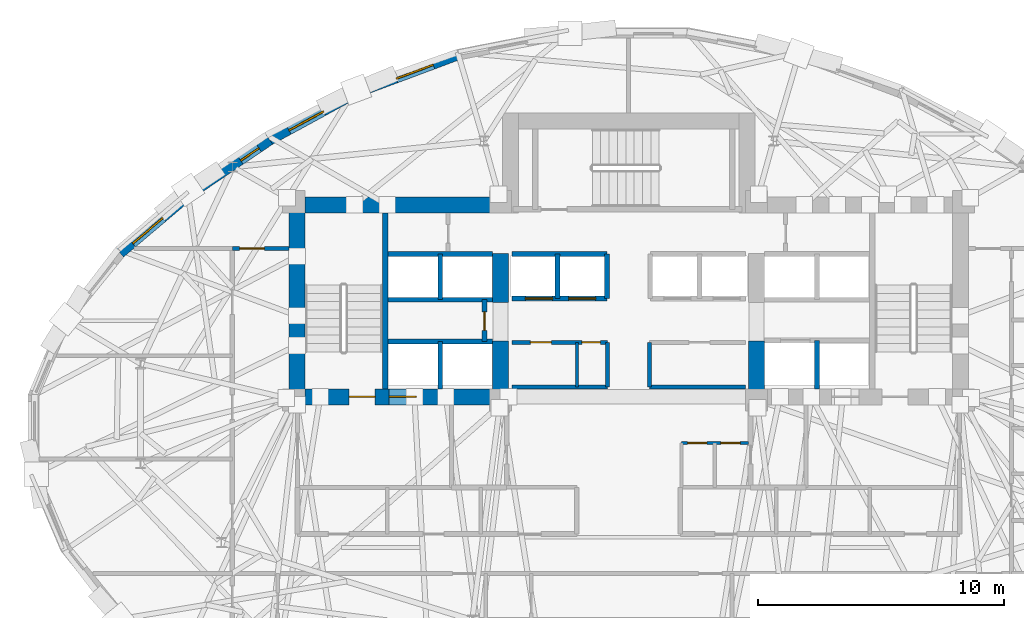
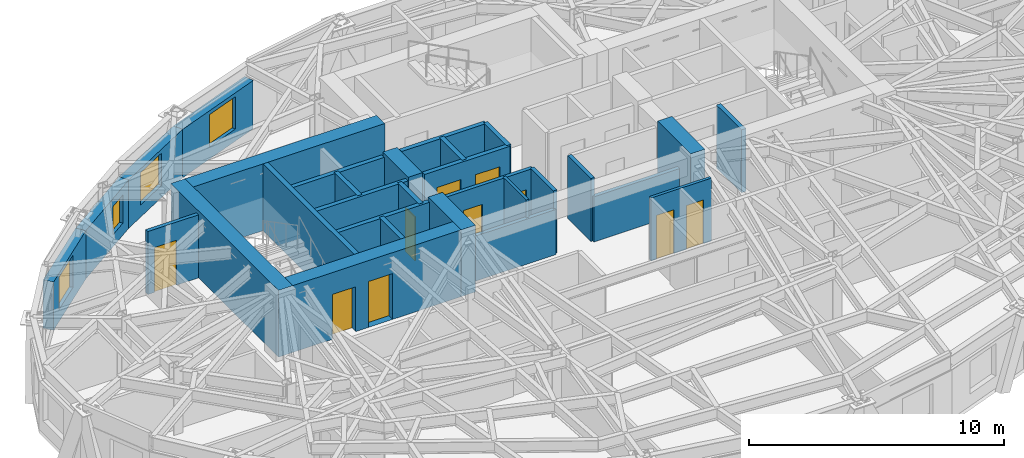
# One storey, part 7 of 14: 30 walls, 10 doors, 4 windows, 14 openings.
"""IFC4 building model written with IfcOpenShell, lengths in metres."""

from ifc_helpers import new_model, si_unit, direction, frame, frame_2d, origin, place, context, subcontext, project, spatial, rectangle, extrude, material, layer, layer_set, type_object, element, fill, save


model = new_model("IFC4")

# Units and contexts
model_context = context("Model", 3, precision=1e-05, world=origin(), true_north=direction((0.0, 1.0)))
body_context = subcontext(model_context, "Body", "Model", "MODEL_VIEW")
ifc_project = project(units=[si_unit("LENGTHUNIT", "METRE"), si_unit("AREAUNIT", "SQUARE_METRE"), si_unit("VOLUMEUNIT", "CUBIC_METRE"), si_unit("PLANEANGLEUNIT", "RADIAN"), si_unit("MASSUNIT", "GRAM", prefix="KILO")], contexts=[model_context])

# Site, building, storey
site_placement = place(None, origin())
site = spatial("IfcSite", under=ifc_project, at=site_placement, CompositionType="ELEMENT")
building_placement = place(site_placement, origin())
building = spatial("IfcBuilding", under=site, at=building_placement, Name="Keldmark Tower", CompositionType="ELEMENT")
storey_placement = place(building_placement, frame((0.0, 0.0, 191.800048828125)))
storey = spatial("IfcBuildingStorey", under=building, at=storey_placement, Name="L53", CompositionType="ELEMENT", Elevation=191.800048828125)

# Wall, openings, doors
ifc_material_1 = material(Name="Acoustic Gypsum Board Interior Partition", Category="gypsum")
ifc_layer_1 = layer(ifc_material_1, 0.1298828125)
ifc_layer_set_1 = layer_set([ifc_layer_1], Name="Acoustic Gypsum Board Interior Partition")
wall_type_1 = type_object("IfcWallType", Name="Interior Partition 130 mm", PredefinedType="PARTITIONING", material=ifc_layer_set_1)
wall_1_placement = place(storey_placement, frame((2.14990234375, -0.35009765625, 0.0), z_axis=(0.0, 0.0, 1.0), x_axis=(1.0, 0.0, 0.0)))
wall_1 = element("IfcWall", 1, at=wall_1_placement, inside=storey, type_object=wall_type_1, Name="L53 Interior Partition 130 mm CSC-E-N", PredefinedType="PARTITIONING", context=body_context, shape_type="SweptSolid", body=[
    extrude(rectangle(XDim=2.72998046875, YDim=0.1298828125, at=frame_2d((1.364990234375, 0.0))), origin(), (0.0, 0.0, 1.0), 3.02001953125),
])
opening_1_placement = place(wall_1_placement, frame((0.25, 0.0, 0.0)))
opening_1 = element("IfcOpeningElement", 2, at=opening_1_placement, cuts=wall_1, Name="Opening D-CL078", PredefinedType="OPENING", context=body_context, shape_type="SweptSolid", body=[
    extrude(rectangle(XDim=0.780029296875, YDim=2.10009765625, at=frame_2d((0.39013671875, 1.050048828125))), frame((0.0, 0.074951171875, 0.0), z_axis=(0.0, -1.0, 0.0), x_axis=(1.0, 0.0, 0.0)), (0.0, 0.0, 1.0), 0.14990234375),
])
opening_2_placement = place(wall_1_placement, frame((1.60009765625, 0.0, 0.0)))
opening_2 = element("IfcOpeningElement", 3, at=opening_2_placement, cuts=wall_1, Name="Opening D-CL078", PredefinedType="OPENING", context=body_context, shape_type="SweptSolid", body=[
    extrude(rectangle(XDim=0.780029296875, YDim=2.10009765625, at=frame_2d((0.39013671875, 1.050048828125))), frame((0.0, 0.074951171875, 0.0), z_axis=(0.0, -1.0, 0.0), x_axis=(1.0, 0.0, 0.0)), (0.0, 0.0, 1.0), 0.14990234375),
])
ifc_material_2 = material(Name="Flush Utility Closet Timber Door", Category="wood")
door_type_1 = type_object("IfcDoorType", Name="Closet Door 780x2100", OperationType="NOTDEFINED", PredefinedType="DOOR", material=ifc_material_2)
door_1_placement = place(opening_1_placement, origin())
door_1 = element("IfcDoor", 4, at=door_1_placement, inside=storey, type_object=door_type_1, Name="L53 Closet Door 780x2100 D-CSCE1-L53", OperationType="SINGLE_SWING_RIGHT", OverallHeight=2.10009765625, OverallWidth=0.780029296875, PredefinedType="DOOR", context=body_context, shape_type="SweptSolid", body=[
    extrude(rectangle(XDim=0.780029296875, YDim=2.10009765625, at=frame_2d((0.39013671875, 1.050048828125))), frame((0.0, 0.02490234375, 0.0), z_axis=(0.0, -1.0, 0.0), x_axis=(1.0, 0.0, 0.0)), (0.0, 0.0, 1.0), 0.050048828125),
])
fill(opening_1, door_1)
door_2_placement = place(opening_2_placement, origin())
door_2 = element("IfcDoor", 5, at=door_2_placement, inside=storey, type_object=door_type_1, Name="L53 Closet Door 780x2100 D-CSCE2-L53", OperationType="SINGLE_SWING_RIGHT", OverallHeight=2.10009765625, OverallWidth=0.780029296875, PredefinedType="DOOR", context=body_context, shape_type="SweptSolid", body=[
    extrude(rectangle(XDim=0.780029296875, YDim=2.10009765625, at=frame_2d((0.39013671875, 1.050048828125))), frame((0.0, 0.02490234375, 0.0), z_axis=(0.0, -1.0, 0.0), x_axis=(1.0, 0.0, 0.0)), (0.0, 0.0, 1.0), 0.050048828125),
])
fill(opening_2, door_2)

# Walls
wall_2_placement = place(storey_placement, frame((-2.10009765625, 1.919921875, 0.0), z_axis=(0.0, 0.0, 1.0), x_axis=(0.0, 1.0, 0.0)))
element("IfcWall", 6, at=wall_2_placement, inside=storey, type_object=wall_type_1, Name="L53 Interior Partition 130 mm REC-LW-M", PredefinedType="PARTITIONING", context=body_context, shape_type="SweptSolid", body=[
    extrude(rectangle(XDim=1.820068359375, YDim=0.1298828125, at=frame_2d((0.91015625, 0.0))), origin(), (0.0, 0.0, 1.0), 3.02001953125),
])
ifc_material_3 = material(Name="Type X Fire-Rated Gypsum Partition Assembly", Category="gypsum")
ifc_layer_2 = layer(ifc_material_3, 0.1650390625)
ifc_layer_set_2 = layer_set([ifc_layer_2], Name="Type X Fire-Rated Gypsum Partition Assembly")
wall_type_2 = type_object("IfcWallType", Name="Rated Partition 165 mm", PredefinedType="PARTITIONING", material=ifc_layer_set_2)
wall_3_placement = place(storey_placement, frame((-4.739990234375, 1.919921875, 0.0), z_axis=(0.0, 0.0, 1.0), x_axis=(1.0, 0.0, 0.0)))
element("IfcWall", 7, at=wall_3_placement, inside=storey, type_object=wall_type_2, Name="L53 Rated Partition 165 mm REC-LW-S", PredefinedType="PARTITIONING", context=body_context, shape_type="SweptSolid", body=[
    extrude(rectangle(XDim=3.889892578125, YDim=0.1650390625, at=frame_2d((1.94482421875, 0.0))), origin(), (0.0, 0.0, 1.0), 2.159912109375),
])

# Wall, openings, doors
wall_4_placement = place(storey_placement, frame((-4.739990234375, 3.739990234375, 0.0), z_axis=(0.0, 0.0, 1.0), x_axis=(1.0, 0.0, 0.0)))
wall_4 = element("IfcWall", 8, at=wall_4_placement, inside=storey, type_object=wall_type_2, Name="L53 Rated Partition 165 mm REC-LW-N", PredefinedType="PARTITIONING", context=body_context, shape_type="SweptSolid", body=[
    extrude(rectangle(XDim=3.889892578125, YDim=0.1650390625, at=frame_2d((1.94482421875, 0.0))), origin(), (0.0, 0.0, 1.0), 3.02001953125),
])
opening_3_placement = place(wall_4_placement, frame((0.75, 0.0, 0.0)))
opening_3 = element("IfcOpeningElement", 9, at=opening_3_placement, cuts=wall_4, Name="Opening D-SV085", PredefinedType="OPENING", context=body_context, shape_type="SweptSolid", body=[
    extrude(rectangle(XDim=0.85009765625, YDim=2.10009765625, at=frame_2d((0.425048828125, 1.050048828125))), frame((0.0, 0.092529296875, 0.0), z_axis=(0.0, -1.0, 0.0), x_axis=(1.0, 0.0, 0.0)), (0.0, 0.0, 1.0), 0.18505859375),
])
opening_4_placement = place(wall_4_placement, frame((2.840087890625, 0.0, 0.0)))
opening_4 = element("IfcOpeningElement", 10, at=opening_4_placement, cuts=wall_4, Name="Opening D-RS075", PredefinedType="OPENING", context=body_context, shape_type="SweptSolid", body=[
    extrude(rectangle(XDim=0.75, YDim=2.10009765625, at=frame_2d((0.375, 1.050048828125))), frame((0.0, 0.092529296875, 0.0), z_axis=(0.0, -1.0, 0.0), x_axis=(1.0, 0.0, 0.0)), (0.0, 0.0, 1.0), 0.18505859375),
])
ifc_material_4 = material(Name="Galvanized Fire-Rated Access Leaf", Category="metal")
door_type_2 = type_object("IfcDoorType", Name="Riser Access Door 750x2100", OperationType="NOTDEFINED", PredefinedType="DOOR", material=ifc_material_4)
door_3_placement = place(opening_4_placement, origin())
door_3 = element("IfcDoor", 11, at=door_3_placement, inside=storey, type_object=door_type_2, Name="L53 Riser Access Door 750x2100 D-RECLW2-L53", OperationType="SINGLE_SWING_RIGHT", OverallHeight=2.10009765625, OverallWidth=0.75, PredefinedType="DOOR", context=body_context, shape_type="SweptSolid", body=[
    extrude(rectangle(XDim=0.75, YDim=2.10009765625, at=frame_2d((0.375, 1.050048828125))), frame((0.0, 0.02490234375, 0.0), z_axis=(0.0, -1.0, 0.0), x_axis=(1.0, 0.0, 0.0)), (0.0, 0.0, 1.0), 0.050048828125),
])
fill(opening_4, door_3)
ifc_material_5 = material(Name="Painted Hollow Metal Door Assembly", Category="metal")
door_type_3 = type_object("IfcDoorType", Name="Service Door 850x2100", OperationType="NOTDEFINED", PredefinedType="DOOR", material=ifc_material_5)
door_4_placement = place(opening_3_placement, origin())
door_4 = element("IfcDoor", 12, at=door_4_placement, inside=storey, type_object=door_type_3, Name="L53 Service Door 850x2100 D-RECLW1-L53", OperationType="SINGLE_SWING_LEFT", OverallHeight=2.10009765625, OverallWidth=0.85009765625, PredefinedType="DOOR", context=body_context, shape_type="SweptSolid", body=[
    extrude(rectangle(XDim=0.85009765625, YDim=2.10009765625, at=frame_2d((0.425048828125, 1.050048828125))), frame((0.0, 0.02490234375, 0.0), z_axis=(0.0, -1.0, 0.0), x_axis=(1.0, 0.0, 0.0)), (0.0, 0.0, 1.0), 0.050048828125),
])
fill(opening_3, door_4)

# Walls
wall_5_placement = place(storey_placement, frame((-0.85009765625, 1.919921875, 0.0), z_axis=(0.0, 0.0, 1.0), x_axis=(0.0, 1.0, 0.0)))
element("IfcWall", 13, at=wall_5_placement, inside=storey, type_object=wall_type_2, Name="L53 Rated Partition 165 mm REC-LW-E", PredefinedType="PARTITIONING", context=body_context, shape_type="SweptSolid", body=[
    extrude(rectangle(XDim=1.820068359375, YDim=0.1650390625, at=frame_2d((0.91015625, 0.0))), origin(), (0.0, 0.0, 1.0), 3.02001953125),
])
wall_6_placement = place(storey_placement, frame((0.85009765625, 1.919921875, 0.0), z_axis=(0.0, 0.0, 1.0), x_axis=(1.0, 0.0, 0.0)))
element("IfcWall", 14, at=wall_6_placement, inside=storey, type_object=wall_type_2, Name="L53 Rated Partition 165 mm REC-LE-S", PredefinedType="PARTITIONING", context=body_context, shape_type="SweptSolid", body=[
    extrude(rectangle(XDim=3.889892578125, YDim=0.1650390625, at=frame_2d((1.94482421875, 0.0))), origin(), (0.0, 0.0, 1.0), 2.159912109375),
])
wall_7_placement = place(storey_placement, frame((0.85009765625, 1.919921875, 0.0), z_axis=(0.0, 0.0, 1.0), x_axis=(0.0, 1.0, 0.0)))
element("IfcWall", 15, at=wall_7_placement, inside=storey, type_object=wall_type_2, Name="L53 Rated Partition 165 mm REC-LE-W", PredefinedType="PARTITIONING", context=body_context, shape_type="SweptSolid", body=[
    extrude(rectangle(XDim=1.820068359375, YDim=0.1650390625, at=frame_2d((0.91015625, 0.0))), origin(), (0.0, 0.0, 1.0), 3.02001953125),
])

# Wall, opening, door
wall_8_placement = place(storey_placement, frame((-16.10009765625, 7.550048828125, 0.0), z_axis=(0.0, 0.0, 1.0), x_axis=(1.0, 0.0, 0.0)))
wall_8 = element("IfcWall", 16, at=wall_8_placement, inside=storey, type_object=wall_type_2, Name="L53 Rated Partition 165 mm HCOR-WN", PredefinedType="PARTITIONING", context=body_context, shape_type="SweptSolid", body=[
    extrude(rectangle(XDim=2.300048828125, YDim=0.1650390625, at=frame_2d((1.14990234375, 0.0))), origin(), (0.0, 0.0, 1.0), 3.02001953125),
])
opening_5_placement = place(wall_8_placement, frame((0.300048828125, 0.0, 0.0)))
opening_5 = element("IfcOpeningElement", 17, at=opening_5_placement, cuts=wall_8, Name="Opening D-FD100", PredefinedType="OPENING", context=body_context, shape_type="SweptSolid", body=[
    extrude(rectangle(XDim=1.0, YDim=2.14990234375, at=frame_2d((0.5, 1.074951171875))), frame((0.0, 0.092529296875, 0.0), z_axis=(0.0, -1.0, 0.0), x_axis=(1.0, 0.0, 0.0)), (0.0, 0.0, 1.0), 0.18505859375),
])
ifc_material_6 = material(Name="Hollow Metal Fire-Rated Corridor Door", Category="metal")
door_type_4 = type_object("IfcDoorType", Name="Fire Door 1000x2150", OperationType="NOTDEFINED", PredefinedType="DOOR", material=ifc_material_6)
door_5_placement = place(opening_5_placement, origin())
door_5 = element("IfcDoor", 18, at=door_5_placement, inside=storey, type_object=door_type_4, Name="L53 Fire Door 1000x2150 D-HNNW-L53", OperationType="SINGLE_SWING_LEFT", OverallHeight=2.14990234375, OverallWidth=1.0, PredefinedType="DOOR", context=body_context, shape_type="SweptSolid", body=[
    extrude(rectangle(XDim=1.0, YDim=2.14990234375, at=frame_2d((0.5, 1.074951171875))), frame((0.0, 0.02490234375, 0.0), z_axis=(0.0, -1.0, 0.0), x_axis=(1.0, 0.0, 0.0)), (0.0, 0.0, 1.0), 0.050048828125),
])
fill(opening_5, door_5)

# Walls
ifc_material_7 = material(Name="Fire-Resistant Type X Gypsum Shaftliner Coreboard", Category="gypsum")
ifc_layer_3 = layer(ifc_material_7, 0.199951171875)
ifc_layer_set_3 = layer_set([ifc_layer_3], Name="Fire-Resistant Type X Gypsum Shaftliner Coreboard")
wall_type_3 = type_object("IfcWallType", Name="Shaft Wall 200 mm", PredefinedType="SOLIDWALL", material=ifc_layer_set_3)
wall_9_placement = place(storey_placement, frame((-9.780029296875, 3.780029296875, 0.0), z_axis=(0.0, 0.0, 1.0), x_axis=(1.0, 0.0, 0.0)))
element("IfcWall", 19, at=wall_9_placement, inside=storey, type_object=wall_type_3, Name="L53 Shaft Wall 200 mm HW-W-S", PredefinedType="SOLIDWALL", context=body_context, shape_type="SweptSolid", body=[
    extrude(rectangle(XDim=4.255126953125, YDim=0.199951171875, at=frame_2d((2.12744140625, 0.0))), origin(), (0.0, 0.0, 1.0), 3.02001953125),
])
wall_10_placement = place(storey_placement, frame((-7.64990234375, 1.85009765625, 0.0), z_axis=(0.0, 0.0, 1.0), x_axis=(0.0, 1.0, 0.0)))
element("IfcWall", 20, at=wall_10_placement, inside=storey, type_object=wall_type_3, Name="L53 Shaft Wall 200 mm HW-W-M", PredefinedType="SOLIDWALL", context=body_context, shape_type="SweptSolid", body=[
    extrude(rectangle(XDim=1.929931640625, YDim=0.199951171875, at=frame_2d((0.96484375, 0.0))), origin(), (0.0, 0.0, 1.0), 3.02001953125),
])
for number, where, z_axis, x_axis, name in (
    (21, (-9.780029296875, 5.469970703125, 0.0), (0.0, 0.0, 1.0), (1.0, 0.0, 0.0), "L53 Shaft Wall 200 mm HW-W-N"),
    (22, (-9.780029296875, 7.330078125, 0.0), (0.0, 0.0, 1.0), (1.0, 0.0, 0.0), "L53 Shaft Wall 200 mm HW-W-TOP"),
):
    element("IfcWall", number, at=place(storey_placement, frame(where, z_axis=z_axis, x_axis=x_axis)), inside=storey, type_object=wall_type_3, Name=name, PredefinedType="SOLIDWALL", context=body_context, shape_type="SweptSolid", body=[
        extrude(rectangle(XDim=4.255126953125, YDim=0.199951171875, at=frame_2d((2.12744140625, 0.0))), origin(), (0.0, 0.0, 1.0), 3.02001953125),
    ])
wall_11_placement = place(storey_placement, frame((-7.64990234375, 5.469970703125, 0.0), z_axis=(0.0, 0.0, 1.0), x_axis=(0.0, 1.0, 0.0)))
element("IfcWall", 23, at=wall_11_placement, inside=storey, type_object=wall_type_3, Name="L53 Shaft Wall 200 mm HW-W-NM", PredefinedType="SOLIDWALL", context=body_context, shape_type="SweptSolid", body=[
    extrude(rectangle(XDim=1.860107421875, YDim=0.199951171875, at=frame_2d((0.93017578125, 0.0))), origin(), (0.0, 0.0, 1.0), 3.02001953125),
])

# Wall, opening, door
wall_12_placement = place(storey_placement, frame((-5.85009765625, 3.780029296875, 0.0), z_axis=(0.0, 0.0, 1.0), x_axis=(0.0, 1.0, 0.0)))
wall_12 = element("IfcWall", 24, at=wall_12_placement, inside=storey, type_object=wall_type_3, Name="L53 Shaft Wall 200 mm HW-W-CLOSE", PredefinedType="SOLIDWALL", context=body_context, shape_type="SweptSolid", body=[
    extrude(rectangle(XDim=1.68994140625, YDim=0.199951171875, at=frame_2d((0.844970703125, 0.0))), origin(), (0.0, 0.0, 1.0), 3.02001953125),
])
opening_6_placement = place(wall_12_placement, frame((0.449951171875, 0.0, 0.0)))
opening_6 = element("IfcOpeningElement", 25, at=opening_6_placement, cuts=wall_12, Name="Opening D-RS075", PredefinedType="OPENING", context=body_context, shape_type="SweptSolid", body=[
    extrude(rectangle(XDim=0.75, YDim=2.10009765625, at=frame_2d((0.375, 1.050048828125))), frame((0.0, 0.10986328125, 0.0), z_axis=(0.0, -1.0, 0.0), x_axis=(1.0, 0.0, 0.0)), (0.0, 0.0, 1.0), 0.219970703125),
])
door_6_placement = place(opening_6_placement, origin())
door_6 = element("IfcDoor", 26, at=door_6_placement, inside=storey, type_object=door_type_2, Name="L53 Riser Access Door 750x2100 D-RISHW-L53", OperationType="SINGLE_SWING_RIGHT", OverallHeight=2.10009765625, OverallWidth=0.75, PredefinedType="DOOR", context=body_context, shape_type="SweptSolid", body=[
    extrude(rectangle(XDim=0.75, YDim=2.10009765625, at=frame_2d((0.375, 1.050048828125))), frame((0.0, 0.02490234375, 0.0), z_axis=(0.0, -1.0, 0.0), x_axis=(1.0, 0.0, 0.0)), (0.0, 0.0, 1.0), 0.050048828125),
])
fill(opening_6, door_6)

# Wall
wall_13_placement = place(storey_placement, frame((7.64990234375, 1.85009765625, 0.0), z_axis=(0.0, 0.0, 1.0), x_axis=(0.0, 1.0, 0.0)))
element("IfcWall", 27, at=wall_13_placement, inside=storey, type_object=wall_type_3, Name="L53 Shaft Wall 200 mm HW-E-M", PredefinedType="SOLIDWALL", context=body_context, shape_type="SweptSolid", body=[
    extrude(rectangle(XDim=1.969970703125, YDim=0.199951171875, at=frame_2d((0.98486328125, 0.0))), origin(), (0.0, 0.0, 1.0), 3.02001953125),
])

# Wall, openings, doors
wall_14_placement = place(storey_placement, frame((-4.739990234375, 5.52001953125, 0.0), z_axis=(0.0, 0.0, 1.0), x_axis=(1.0, 0.0, 0.0)))
wall_14 = element("IfcWall", 28, at=wall_14_placement, inside=storey, type_object=wall_type_3, Name="L53 Shaft Wall 200 mm MID-S-W", PredefinedType="SOLIDWALL", context=body_context, shape_type="SweptSolid", body=[
    extrude(rectangle(XDim=3.860107421875, YDim=0.199951171875, at=frame_2d((1.93017578125, 0.0))), origin(), (0.0, 0.0, 1.0), 3.02001953125),
])
opening_7_placement = place(wall_14_placement, frame((0.550048828125, 0.0, 0.0)))
opening_7 = element("IfcOpeningElement", 29, at=opening_7_placement, cuts=wall_14, Name="Opening LD-110", PredefinedType="OPENING", context=body_context, shape_type="SweptSolid", body=[
    extrude(rectangle(XDim=1.10009765625, YDim=2.199951171875, at=frame_2d((0.550048828125, 1.10009765625))), frame((0.0, 0.10986328125, 0.0), z_axis=(0.0, -1.0, 0.0), x_axis=(1.0, 0.0, 0.0)), (0.0, 0.0, 1.0), 0.219970703125),
])
opening_8_placement = place(wall_14_placement, frame((2.300048828125, 0.0, 0.0)))
opening_8 = element("IfcOpeningElement", 30, at=opening_8_placement, cuts=wall_14, Name="Opening LD-110", PredefinedType="OPENING", context=body_context, shape_type="SweptSolid", body=[
    extrude(rectangle(XDim=1.10009765625, YDim=2.199951171875, at=frame_2d((0.550048828125, 1.10009765625))), frame((0.0, 0.10986328125, 0.0), z_axis=(0.0, -1.0, 0.0), x_axis=(1.0, 0.0, 0.0)), (0.0, 0.0, 1.0), 0.219970703125),
])
ifc_material_8 = material(Name="Brushed Bronze Hoistway Sliding Leaf", Category="metal")
door_type_5 = type_object("IfcDoorType", Name="Lift Landing Sliding Door 1100x2200", OperationType="SLIDING_TO_LEFT", PredefinedType="DOOR", material=ifc_material_8)
door_7_placement = place(opening_7_placement, origin())
door_7 = element("IfcDoor", 31, at=door_7_placement, inside=storey, type_object=door_type_5, Name="L53 Lift Landing Sliding Door 1100x2200 LD-EL-M1-L53", OperationType="SLIDING_TO_LEFT", OverallHeight=2.199951171875, OverallWidth=1.10009765625, PredefinedType="DOOR", context=body_context, shape_type="SweptSolid", body=[
    extrude(rectangle(XDim=1.10009765625, YDim=2.199951171875, at=frame_2d((0.550048828125, 1.10009765625))), frame((0.0, 0.02490234375, 0.0), z_axis=(0.0, -1.0, 0.0), x_axis=(1.0, 0.0, 0.0)), (0.0, 0.0, 1.0), 0.050048828125),
])
fill(opening_7, door_7)
door_8_placement = place(opening_8_placement, origin())
door_8 = element("IfcDoor", 32, at=door_8_placement, inside=storey, type_object=door_type_5, Name="L53 Lift Landing Sliding Door 1100x2200 LD-EL-M2-L53", OperationType="SLIDING_TO_LEFT", OverallHeight=2.199951171875, OverallWidth=1.10009765625, PredefinedType="DOOR", context=body_context, shape_type="SweptSolid", body=[
    extrude(rectangle(XDim=1.10009765625, YDim=2.199951171875, at=frame_2d((0.550048828125, 1.10009765625))), frame((0.0, 0.02490234375, 0.0), z_axis=(0.0, -1.0, 0.0), x_axis=(1.0, 0.0, 0.0)), (0.0, 0.0, 1.0), 0.050048828125),
])
fill(opening_8, door_8)

# Walls
wall_15_placement = place(storey_placement, frame((-4.739990234375, 7.330078125, 0.0), z_axis=(0.0, 0.0, 1.0), x_axis=(1.0, 0.0, 0.0)))
element("IfcWall", 33, at=wall_15_placement, inside=storey, type_object=wall_type_3, Name="L53 Shaft Wall 200 mm MID-N-W", PredefinedType="SOLIDWALL", context=body_context, shape_type="SweptSolid", body=[
    extrude(rectangle(XDim=3.860107421875, YDim=0.199951171875, at=frame_2d((1.93017578125, 0.0))), origin(), (0.0, 0.0, 1.0), 3.02001953125),
])
for number, where, z_axis, x_axis, name in (
    (34, (-2.8798828125, 5.52001953125, 0.0), (0.0, 0.0, 1.0), (0.0, 1.0, 0.0), "L53 Shaft Wall 200 mm MID-M-W"),
    (35, (-0.8798828125, 5.52001953125, 0.0), (0.0, 0.0, 1.0), (0.0, 1.0, 0.0), "L53 Shaft Wall 200 mm MID-C-W"),
):
    element("IfcWall", number, at=place(storey_placement, frame(where, z_axis=z_axis, x_axis=x_axis)), inside=storey, type_object=wall_type_3, Name=name, PredefinedType="SOLIDWALL", context=body_context, shape_type="SweptSolid", body=[
        extrude(rectangle(XDim=1.81005859375, YDim=0.199951171875, at=frame_2d((0.905029296875, 0.0))), origin(), (0.0, 0.0, 1.0), 3.02001953125),
    ])
ifc_material_9 = material(Name="Concrete C50/60", Category="concrete")
ifc_layer_4 = layer(ifc_material_9, 0.219970703125)
ifc_layer_set_4 = layer_set([ifc_layer_4], Name="Concrete C50/60")
wall_type_4 = type_object("IfcWallType", Name="Stair Core Shear Wall 220 mm", PredefinedType="SHEAR", material=ifc_layer_set_4)
wall_16_placement = place(storey_placement, frame((-9.889892578125, 1.85009765625, 0.0), z_axis=(0.0, 0.0, 1.0), x_axis=(0.0, 1.0, 0.0)))
element("IfcWall", 36, at=wall_16_placement, inside=storey, type_object=wall_type_4, Name="L53 West Stair Core Shear Wall", PredefinedType="SHEAR", context=body_context, shape_type="SweptSolid", body=[
    extrude(rectangle(XDim=7.14990234375, YDim=0.219970703125, at=frame_2d((3.574951171875, 0.0))), origin(), (0.0, 0.0, 1.0), 3.199951171875),
])

# Wall, opening, window
ifc_material_10 = material(Name="Ironspot Manganese Brick and Kasota Buff Limestone Spandrel Assembly", Category="masonry")
ifc_layer_5 = layer(ifc_material_10, 0.43994140625)
ifc_layer_set_5 = layer_set([ifc_layer_5], Name="Ironspot Manganese Brick and Kasota Buff Limestone Spandrel Assembly")
wall_type_5 = type_object("IfcWallType", Name="Tower Brick Pier and Spandrel Wall 440 mm", PredefinedType="STANDARD", material=ifc_layer_set_5)
wall_17_placement = place(storey_placement, frame((-11.04248046875, 13.897216796875, 0.0), z_axis=(0.0, 0.0, 1.0), x_axis=(0.937088879832, 0.349090863953, 0.0)))
wall_17 = element("IfcWall", 37, at=wall_17_placement, inside=storey, type_object=wall_type_5, Name="L53 Exterior Brick and Spandrel Wall 10", PredefinedType="STANDARD", context=body_context, shape_type="SweptSolid", body=[
    extrude(rectangle(XDim=4.398193359375, YDim=0.43994140625, at=frame_2d((2.19921875, 0.0))), origin(), (0.0, 0.0, 1.0), 2.31494140625),
])
opening_9_placement = place(wall_17_placement, frame((1.69921875, 0.0, 0.580078125)))
opening_9 = element("IfcOpeningElement", 38, at=opening_9_placement, cuts=wall_17, Name="Opening W-04", PredefinedType="OPENING", context=body_context, shape_type="SweptSolid", body=[
    extrude(rectangle(XDim=1.60009765625, YDim=1.550048828125, at=frame_2d((0.800048828125, 0.77490234375))), frame((0.0, 0.22998046875, 0.0), z_axis=(0.0, -1.0, 0.0), x_axis=(1.0, 0.0, 0.0)), (0.0, 0.0, 1.0), 0.4599609375),
])
ifc_material_11 = material(Name="Thermally Broken Anodized Aluminum and Triple Low-E Argon Glazing", Category="aluminium")
window_type_1 = type_object("IfcWindowType", Name="Hotel Deep-Set Operable Window 1600x1550", PartitioningType="DOUBLE_PANEL_HORIZONTAL", PredefinedType="WINDOW", material=ifc_material_11)
window_1_placement = place(opening_9_placement, origin())
window_1 = element("IfcWindow", 39, at=window_1_placement, inside=storey, type_object=window_type_1, Name="L53 Deep-Set Window 10", OverallHeight=1.550048828125, OverallWidth=1.60009765625, PartitioningType="SINGLE_PANEL", PredefinedType="WINDOW", context=body_context, shape_type="SweptSolid", body=[
    extrude(rectangle(XDim=1.60009765625, YDim=1.550048828125, at=frame_2d((0.800048828125, 0.77490234375))), frame((0.0, -0.010009765625, 0.0), z_axis=(0.0, -1.0, 0.0), x_axis=(1.0, 0.0, 0.0)), (0.0, 0.0, 1.0), 0.06005859375),
])
fill(opening_9, window_1)

wall_18_placement = place(storey_placement, frame((-14.601806640625, 11.955810546875, 0.0), z_axis=(0.0, 0.0, 1.0), x_axis=(0.878158075839, 0.478370561217, 0.0)))
wall_18 = element("IfcWall", 40, at=wall_18_placement, inside=storey, type_object=wall_type_5, Name="L53 Exterior Brick and Spandrel Wall 11", PredefinedType="STANDARD", context=body_context, shape_type="SweptSolid", body=[
    extrude(rectangle(XDim=4.08544921875, YDim=0.43994140625, at=frame_2d((2.042724609375, 0.0))), origin(), (0.0, 0.0, 1.0), 2.31494140625),
])
opening_10_placement = place(wall_18_placement, frame((0.89501953125, 0.0, 0.580078125)))
opening_10 = element("IfcOpeningElement", 41, at=opening_10_placement, cuts=wall_18, Name="Opening W-04", PredefinedType="OPENING", context=body_context, shape_type="SweptSolid", body=[
    extrude(rectangle(XDim=1.60009765625, YDim=1.550048828125, at=frame_2d((0.800048828125, 0.77490234375))), frame((0.0, 0.22998046875, 0.0), z_axis=(0.0, -1.0, 0.0), x_axis=(1.0, 0.0, 0.0)), (0.0, 0.0, 1.0), 0.4599609375),
])
window_2_placement = place(opening_10_placement, origin())
window_2 = element("IfcWindow", 42, at=window_2_placement, inside=storey, type_object=window_type_1, Name="L53 Deep-Set Window 11", OverallHeight=1.550048828125, OverallWidth=1.60009765625, PartitioningType="SINGLE_PANEL", PredefinedType="WINDOW", context=body_context, shape_type="SweptSolid", body=[
    extrude(rectangle(XDim=1.60009765625, YDim=1.550048828125, at=frame_2d((0.800048828125, 0.77490234375))), frame((0.0, -0.010009765625, 0.0), z_axis=(0.0, -1.0, 0.0), x_axis=(1.0, 0.0, 0.0)), (0.0, 0.0, 1.0), 0.06005859375),
])
fill(opening_10, window_2)

wall_19_placement = place(storey_placement, frame((-17.796875, 9.788330078125, 0.0), z_axis=(0.0, 0.0, 1.0), x_axis=(0.827690675663, 0.561184591218, 0.0)))
wall_19 = element("IfcWall", 43, at=wall_19_placement, inside=storey, type_object=wall_type_5, Name="L53 Exterior Brick and Spandrel Wall 12", PredefinedType="STANDARD", context=body_context, shape_type="SweptSolid", body=[
    extrude(rectangle(XDim=3.88232421875, YDim=0.43994140625, at=frame_2d((1.941162109375, 0.0))), origin(), (0.0, 0.0, 1.0), 2.31494140625),
])
opening_11_placement = place(wall_19_placement, frame((2.434814453125, 0.0, 0.580078125)))
opening_11 = element("IfcOpeningElement", 44, at=opening_11_placement, cuts=wall_19, Name="Opening W-09", PredefinedType="OPENING", context=body_context, shape_type="SweptSolid", body=[
    extrude(rectangle(XDim=0.89990234375, YDim=1.35009765625, at=frame_2d((0.449951171875, 0.675048828125))), frame((0.0, 0.22998046875, 0.0), z_axis=(0.0, -1.0, 0.0), x_axis=(1.0, 0.0, 0.0)), (0.0, 0.0, 1.0), 0.4599609375),
])
ifc_material_12 = material(Name="Thermally Broken Anodized Aluminum and Triple Low-E Argon Glazing", Category="aluminium")
window_type_2 = type_object("IfcWindowType", Name="Corner Pier Deep-Set Window 900x1350", PartitioningType="SINGLE_PANEL", PredefinedType="WINDOW", material=ifc_material_12)
window_3_placement = place(opening_11_placement, origin())
window_3 = element("IfcWindow", 45, at=window_3_placement, inside=storey, type_object=window_type_2, Name="L53 Deep-Set Window 12", OverallHeight=1.35009765625, OverallWidth=0.89990234375, PartitioningType="SINGLE_PANEL", PredefinedType="WINDOW", context=body_context, shape_type="SweptSolid", body=[
    extrude(rectangle(XDim=0.89990234375, YDim=1.35009765625, at=frame_2d((0.449951171875, 0.675048828125))), frame((0.0, -0.010009765625, 0.0), z_axis=(0.0, -1.0, 0.0), x_axis=(1.0, 0.0, 0.0)), (0.0, 0.0, 1.0), 0.06005859375),
])
fill(opening_11, window_3)

wall_20_placement = place(storey_placement, frame((-20.660888671875, 7.370361328125, 0.0), z_axis=(0.0, 0.0, 1.0), x_axis=(0.764269547527, 0.644896936512, 0.0)))
wall_20 = element("IfcWall", 46, at=wall_20_placement, inside=storey, type_object=wall_type_5, Name="L53 Exterior Brick and Spandrel Wall 13", PredefinedType="STANDARD", context=body_context, shape_type="SweptSolid", body=[
    extrude(rectangle(XDim=3.771240234375, YDim=0.43994140625, at=frame_2d((1.8857421875, 0.0))), origin(), (0.0, 0.0, 1.0), 2.31494140625),
])
opening_12_placement = place(wall_20_placement, frame((0.642822265625, 0.0, 0.580078125)))
opening_12 = element("IfcOpeningElement", 47, at=opening_12_placement, cuts=wall_20, Name="Opening W-04", PredefinedType="OPENING", context=body_context, shape_type="SweptSolid", body=[
    extrude(rectangle(XDim=1.60009765625, YDim=1.550048828125, at=frame_2d((0.800048828125, 0.77490234375))), frame((0.0, 0.22998046875, 0.0), z_axis=(0.0, -1.0, 0.0), x_axis=(1.0, 0.0, 0.0)), (0.0, 0.0, 1.0), 0.4599609375),
])
window_4_placement = place(opening_12_placement, origin())
window_4 = element("IfcWindow", 48, at=window_4_placement, inside=storey, type_object=window_type_1, Name="L53 Deep-Set Window 13", OverallHeight=1.550048828125, OverallWidth=1.60009765625, PartitioningType="SINGLE_PANEL", PredefinedType="WINDOW", context=body_context, shape_type="SweptSolid", body=[
    extrude(rectangle(XDim=1.60009765625, YDim=1.550048828125, at=frame_2d((0.800048828125, 0.77490234375))), frame((0.0, -0.010009765625, 0.0), z_axis=(0.0, -1.0, 0.0), x_axis=(1.0, 0.0, 0.0)), (0.0, 0.0, 1.0), 0.06005859375),
])
fill(opening_12, window_4)

# Walls
ifc_material_13 = material(Name="Concrete C50/60", Category="concrete")
ifc_layer_6 = layer(ifc_material_13, 0.64990234375)
ifc_layer_set_6 = layer_set([ifc_layer_6], Name="Concrete C50/60")
wall_type_6 = type_object("IfcWallType", Name="Upper-Mid Core Shear Wall 650 mm", PredefinedType="SHEAR", material=ifc_layer_set_6)
wall_21_placement = place(storey_placement, frame((-13.47509765625, 1.199951171875, 0.0), z_axis=(0.0, 0.0, 1.0), x_axis=(0.0, 1.0, 0.0)))
element("IfcWall", 49, at=wall_21_placement, inside=storey, type_object=wall_type_6, Name="L53 West Core Outer Shear Wall", PredefinedType="SHEAR", context=body_context, shape_type="SweptSolid", body=[
    extrude(rectangle(XDim=8.449951171875, YDim=0.64990234375, at=frame_2d((4.22509765625, 0.0))), origin(), (0.0, 0.0, 1.0), 3.199951171875),
])
wall_22_placement = place(storey_placement, frame((-13.800048828125, 9.324951171875, 0.0), z_axis=(0.0, 0.0, 1.0), x_axis=(1.0, 0.0, 0.0)))
element("IfcWall", 50, at=wall_22_placement, inside=storey, type_object=wall_type_6, Name="L53 West Core North Shear Wall", PredefinedType="SHEAR", context=body_context, shape_type="SweptSolid", body=[
    extrude(rectangle(XDim=9.324951171875, YDim=0.64990234375, at=frame_2d((4.66259765625, 0.0))), origin(), (0.0, 0.0, 1.0), 3.199951171875),
])

# Wall, openings, doors
wall_23_placement = place(storey_placement, frame((-4.875, 1.52490234375, 0.0), z_axis=(0.0, 0.0, 1.0), x_axis=(-1.0, 0.0, 0.0)))
wall_23 = element("IfcWall", 51, at=wall_23_placement, inside=storey, type_object=wall_type_6, Name="L53 West Core South Shear Wall", PredefinedType="SHEAR", context=body_context, shape_type="SweptSolid", body=[
    extrude(rectangle(XDim=8.925048828125, YDim=0.64990234375, at=frame_2d((4.46240234375, 0.0))), origin(), (0.0, 0.0, 1.0), 3.199951171875),
])
opening_13_placement = place(wall_23_placement, frame((5.425048828125, 0.0, 0.0)))
opening_13 = element("IfcOpeningElement", 52, at=opening_13_placement, cuts=wall_23, Name="Opening D-ST105", PredefinedType="OPENING", context=body_context, shape_type="SweptSolid", body=[
    extrude(rectangle(XDim=1.050048828125, YDim=2.14990234375, at=frame_2d((0.52490234375, 1.074951171875))), frame((0.0, 0.3349609375, 0.0), z_axis=(0.0, -1.0, 0.0), x_axis=(1.0, 0.0, 0.0)), (0.0, 0.0, 1.0), 0.669921875),
])
opening_14_placement = place(wall_23_placement, frame((3.7548828125, 0.0, 0.0)))
opening_14 = element("IfcOpeningElement", 53, at=opening_14_placement, cuts=wall_23, Name="Opening LD-110", PredefinedType="OPENING", context=body_context, shape_type="SweptSolid", body=[
    extrude(rectangle(XDim=1.10009765625, YDim=2.199951171875, at=frame_2d((0.550048828125, 1.10009765625))), frame((0.0, 0.3349609375, 0.0), z_axis=(0.0, -1.0, 0.0), x_axis=(1.0, 0.0, 0.0)), (0.0, 0.0, 1.0), 0.669921875),
])
door_9_placement = place(opening_14_placement, origin())
door_9 = element("IfcDoor", 54, at=door_9_placement, inside=storey, type_object=door_type_5, Name="L53 Lift Landing Sliding Door 1100x2200 LD-EL-FS1-L53", OperationType="SLIDING_TO_LEFT", OverallHeight=2.199951171875, OverallWidth=1.10009765625, PredefinedType="DOOR", context=body_context, shape_type="SweptSolid", body=[
    extrude(rectangle(XDim=1.10009765625, YDim=2.199951171875, at=frame_2d((0.550048828125, 1.10009765625))), frame((0.0, 0.02490234375, 0.0), z_axis=(0.0, -1.0, 0.0), x_axis=(1.0, 0.0, 0.0)), (0.0, 0.0, 1.0), 0.050048828125),
])
fill(opening_14, door_9)
ifc_material_14 = material(Name="Hollow Metal Fire-Rated Door Assembly", Category="metal")
door_type_6 = type_object("IfcDoorType", Name="Stair Fire Door 1050x2150", OperationType="NOTDEFINED", PredefinedType="DOOR", material=ifc_material_14)
door_10_placement = place(opening_13_placement, origin())
door_10 = element("IfcDoor", 55, at=door_10_placement, inside=storey, type_object=door_type_6, Name="L53 Stair Fire Door 1050x2150 D-ST1-L53", OperationType="SINGLE_SWING_RIGHT", OverallHeight=2.14990234375, OverallWidth=1.050048828125, PredefinedType="DOOR", context=body_context, shape_type="SweptSolid", body=[
    extrude(rectangle(XDim=1.050048828125, YDim=2.14990234375, at=frame_2d((0.52490234375, 1.074951171875))), frame((0.0, 0.02490234375, 0.0), z_axis=(0.0, -1.0, 0.0), x_axis=(1.0, 0.0, 0.0)), (0.0, 0.0, 1.0), 0.050048828125),
])
fill(opening_13, door_10)

# Walls
wall_24_placement = place(storey_placement, frame((-5.199951171875, 1.199951171875, 0.0), z_axis=(0.0, 0.0, 1.0), x_axis=(0.0, 1.0, 0.0)))
element("IfcWall", 56, at=wall_24_placement, inside=storey, type_object=wall_type_6, Name="L53 West Core Inner Shear Pier South", PredefinedType="SHEAR", context=body_context, shape_type="SweptSolid", body=[
    extrude(rectangle(XDim=2.60009765625, YDim=0.64990234375, at=frame_2d((1.300048828125, 0.0))), origin(), (0.0, 0.0, 1.0), 3.199951171875),
])
wall_25_placement = place(storey_placement, frame((-5.199951171875, 5.35009765625, 0.0), z_axis=(0.0, 0.0, 1.0), x_axis=(0.0, 1.0, 0.0)))
element("IfcWall", 57, at=wall_25_placement, inside=storey, type_object=wall_type_6, Name="L53 West Core Inner Shear Pier North", PredefinedType="SHEAR", context=body_context, shape_type="SweptSolid", body=[
    extrude(rectangle(XDim=2.0, YDim=0.64990234375, at=frame_2d((1.0, 0.0))), origin(), (0.0, 0.0, 1.0), 3.199951171875),
])
wall_26_placement = place(storey_placement, frame((5.199951171875, 1.199951171875, 0.0), z_axis=(0.0, 0.0, 1.0), x_axis=(0.0, 1.0, 0.0)))
element("IfcWall", 58, at=wall_26_placement, inside=storey, type_object=wall_type_6, Name="L53 East Core Inner Shear Pier South", PredefinedType="SHEAR", context=body_context, shape_type="SweptSolid", body=[
    extrude(rectangle(XDim=2.60009765625, YDim=0.64990234375, at=frame_2d((1.300048828125, 0.0))), origin(), (0.0, 0.0, 1.0), 3.199951171875),
])

save(model, "model.ifc")
